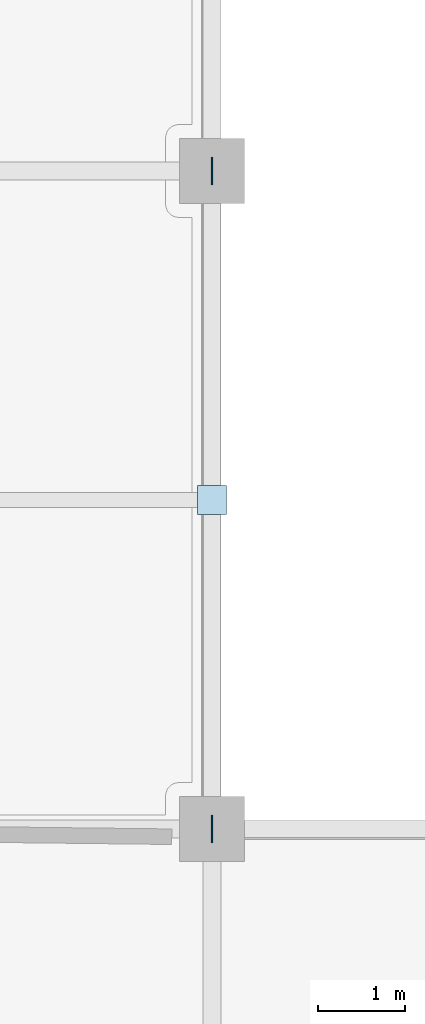
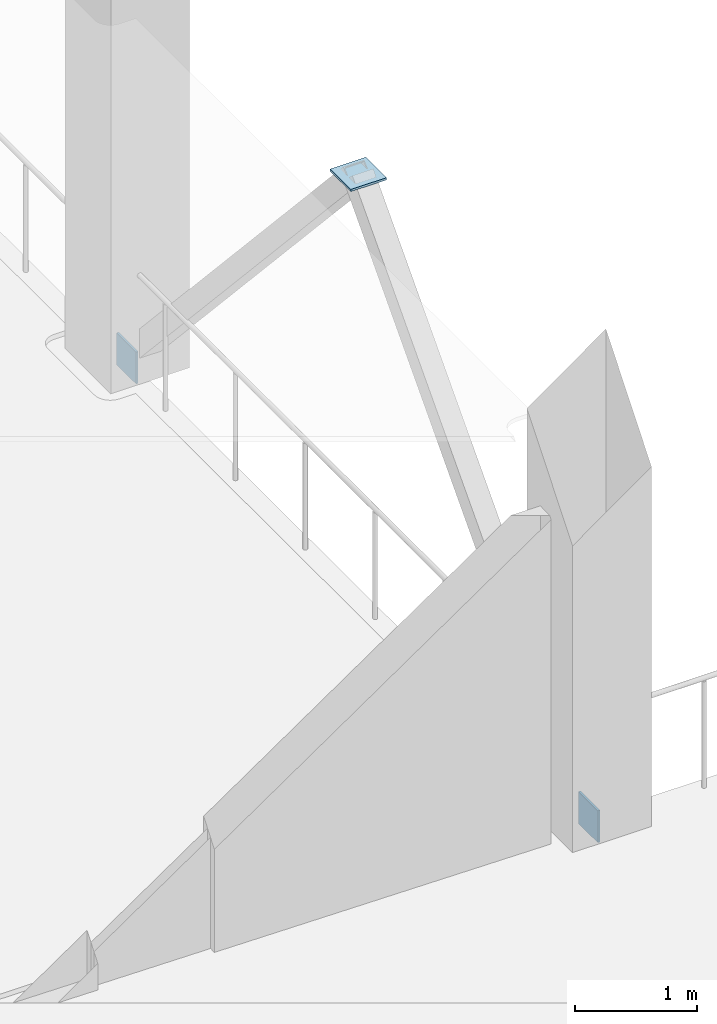
# One storey, part 22 of 51: 3 plates.
"""IFC4 building model written with IfcOpenShell, lengths in metres."""

from ifc_helpers import new_model, si_unit, direction, frame, origin, origin_2d, place, context, subcontext, project, spatial, rectangle, extrude, material, layer, layer_set, type_object, element, save


model = new_model("IFC4")

# Units and contexts
model_context = context("Model", 3, precision=1e-05, world=origin(), true_north=direction((0.0, 1.0)))
body_context = subcontext(model_context, "Body", "Model", "MODEL_VIEW")
ifc_project = project(units=[si_unit("LENGTHUNIT", "METRE"), si_unit("AREAUNIT", "SQUARE_METRE"), si_unit("VOLUMEUNIT", "CUBIC_METRE"), si_unit("PLANEANGLEUNIT", "RADIAN"), si_unit("MASSUNIT", "GRAM", prefix="KILO")], contexts=[model_context])

# Site, building, storey
site_placement = place(None, origin())
site = spatial("IfcSite", under=ifc_project, at=site_placement, CompositionType="ELEMENT")
building_placement = place(site_placement, origin())
building = spatial("IfcBuilding", under=site, at=building_placement, Name="Zuvorla Pavilion Media Centre", CompositionType="ELEMENT")
storey_placement = place(building_placement, frame((0.0, 0.0, 4.800048828125)))
storey = spatial("IfcBuildingStorey", under=building, at=storey_placement, Name="L01", CompositionType="ELEMENT", Elevation=4.800048828125)

# Plates
ifc_material = material(Name="Steel S355", Category="steel")
ifc_layer_1 = layer(ifc_material, 0.02197265625)
ifc_layer_set_1 = layer_set([ifc_layer_1], Name="Steel S355")
plate_type_1 = type_object("IfcPlateType", Name="PLT-CAP-22", PredefinedType="USERDEFINED", material=ifc_layer_set_1)
plate_placement = place(storey_placement, frame((75.199951171875, 93.39990234375, 4.138916015625), z_axis=(0.0, 0.0, 1.0), x_axis=(1.0, 0.0, 0.0)))
element("IfcPlate", 1, at=plate_placement, inside=storey, type_object=plate_type_1, Name="L01 cap plate CP22 164", ObjectType="CAP_PLATE", PredefinedType="USERDEFINED", context=body_context, shape_type="SweptSolid", body=[
    extrude(rectangle(XDim=0.340087890625, YDim=0.340087890625, at=origin_2d()), origin(), (0.0, 0.0, 1.0), 0.02197265625),
])
ifc_layer_2 = layer(ifc_material, 0.02001953125)
ifc_layer_set_2 = layer_set([ifc_layer_2], Name="Steel S355")
plate_type_2 = type_object("IfcPlateType", Name="PLT-GUS-20", PredefinedType="USERDEFINED", material=ifc_layer_set_2)
for number, where, z_axis, x_axis, name in (
    (2, (75.199951171875, 89.60009765625, -0.16015625), (0.0, 0.0, 1.0), (1.0, 0.0, 0.0), "L01 gusset plate GP20 515"),
    (3, (75.199951171875, 97.199951171875, -0.16015625), (0.0, 0.0, 1.0), (1.0, 0.0, 0.0), "L01 gusset plate GP20 516"),
):
    element("IfcPlate", number, at=place(storey_placement, frame(where, z_axis=z_axis, x_axis=x_axis)), inside=storey, type_object=plate_type_2, Name=name, ObjectType="GUSSET_PLATE", PredefinedType="USERDEFINED", context=body_context, shape_type="SweptSolid", body=[
        extrude(rectangle(XDim=0.02001953125, YDim=0.320068359375, at=origin_2d()), origin(), (0.0, 0.0, 1.0), 0.320068359375),
    ])

save(model, "model.ifc")
